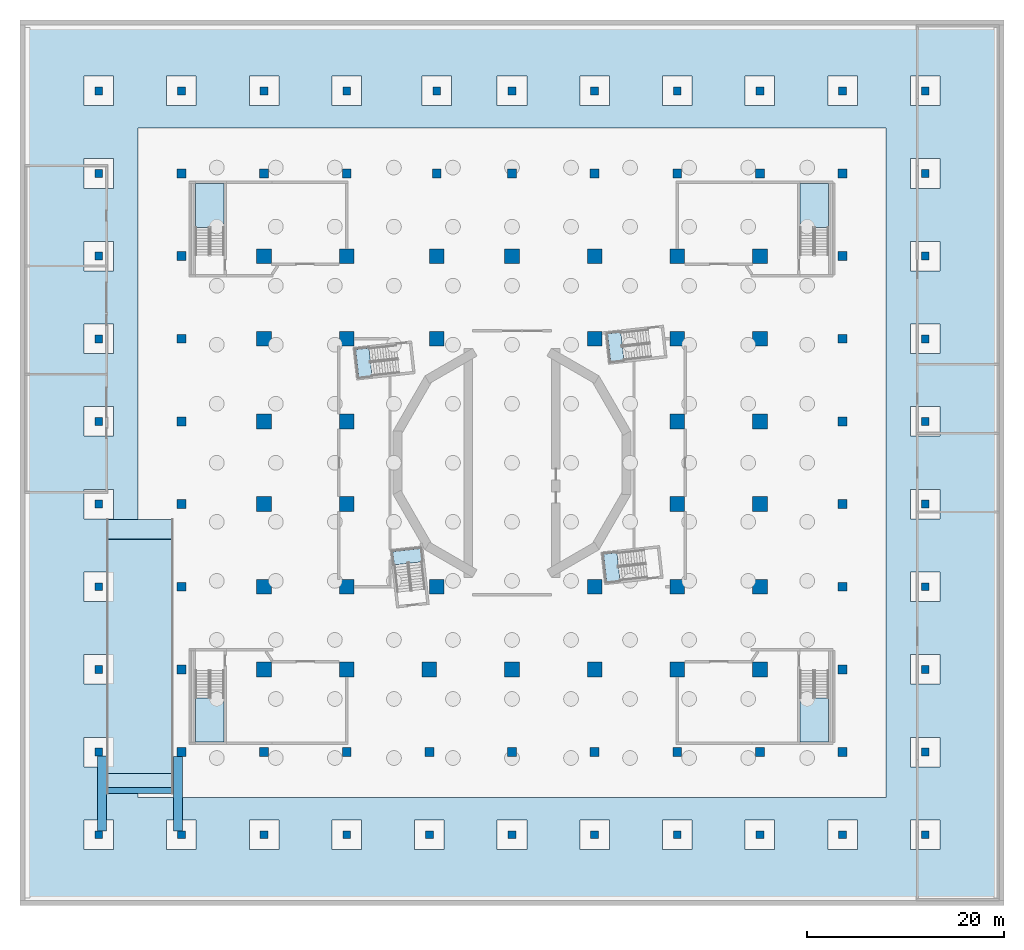
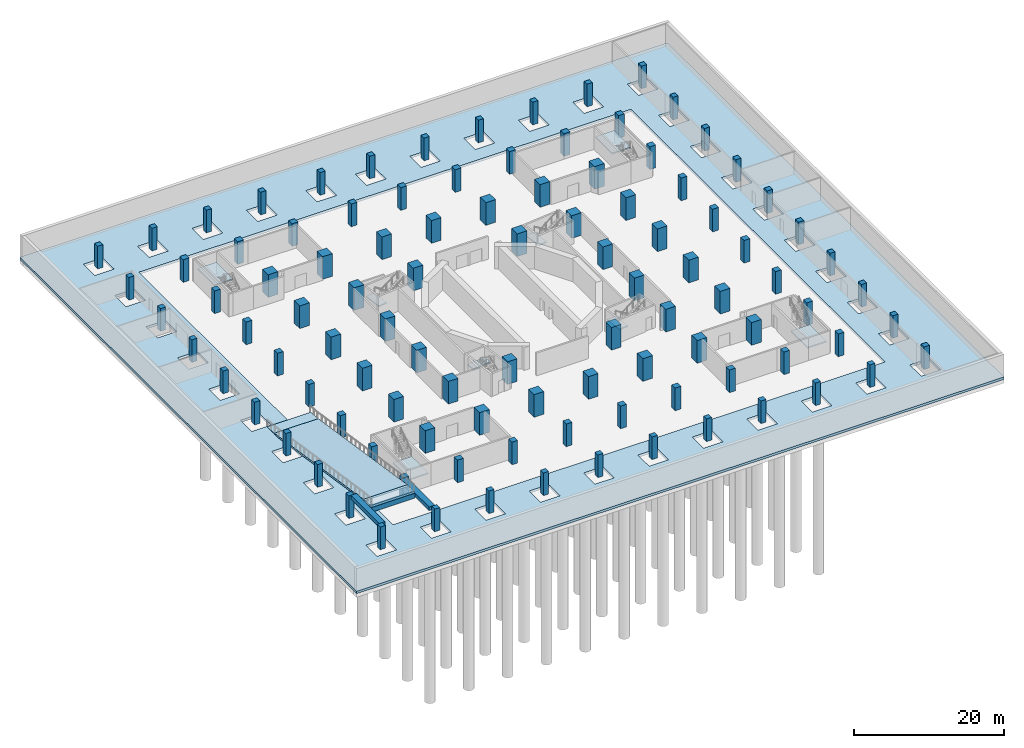
# One storey, part 2 of 20: 102 columns, 12 slabs, 3 beams, 8 elements without a shape of their own.
"""IFC4 building model written with IfcOpenShell, lengths in metres."""

from ifc_helpers import new_model, si_unit, direction, frame, origin, origin_2d, place, context, subcontext, project, spatial, polyline, rectangle, outline, extrude, clip, halfspace, material, layer, layer_set, material_profile, profile_set, type_object, element, aggregate, save


model = new_model("IFC4")

# Units and contexts
model_context = context("Model", 3, precision=1e-05, world=origin(), true_north=direction((0.0, 1.0)))
body_context = subcontext(model_context, "Body", "Model", "MODEL_VIEW")
ifc_project = project(units=[si_unit("LENGTHUNIT", "METRE"), si_unit("AREAUNIT", "SQUARE_METRE"), si_unit("VOLUMEUNIT", "CUBIC_METRE"), si_unit("PLANEANGLEUNIT", "RADIAN"), si_unit("MASSUNIT", "GRAM", prefix="KILO")], contexts=[model_context])

# Site, building, storey
site_placement = place(None, origin())
site = spatial("IfcSite", under=ifc_project, at=site_placement, CompositionType="ELEMENT")
building_placement = place(site_placement, origin())
building = spatial("IfcBuilding", under=site, at=building_placement, Name="Cantera Rosa Tower", CompositionType="ELEMENT")
storey_placement = place(building_placement, frame((0.0, 0.0, -17.0)))
storey = spatial("IfcBuildingStorey", under=building, at=storey_placement, Name="B4", CompositionType="ELEMENT", Elevation=-17.0)

# Columns
ifc_material_1 = material(Name="Concrete C60/75", Category="concrete")
ifc_material_profile_1 = material_profile(ifc_material_1, rectangle(XDim=1.5, YDim=1.5, at=origin_2d()), Name="Column 1500x1500")
ifc_profile_set_1 = profile_set([ifc_material_profile_1], Name="Concrete C60/75")
column_type_1 = type_object("IfcColumnType", Name="Column 1500x1500", PredefinedType="COLUMN", material=ifc_profile_set_1)
for number, where, z_axis, x_axis, name in (
    (1, (-25.199951171875, -21.0, 0.0), (0.0, 0.0, 1.0), (1.0, 0.0, 0.0), "Column C-P-2B"),
    (2, (-25.199951171875, -12.60009765625, 0.0), (0.0, 0.0, 1.0), (1.0, 0.0, 0.0), "Column C-P-2C"),
    (3, (-25.199951171875, -4.199951171875, 0.0), (0.0, 0.0, 1.0), (1.0, 0.0, 0.0), "Column C-P-2D"),
    (4, (-25.199951171875, 4.199951171875, 0.0), (0.0, 0.0, 1.0), (1.0, 0.0, 0.0), "Column C-P-2E"),
    (5, (-25.199951171875, 12.60009765625, 0.0), (0.0, 0.0, 1.0), (1.0, 0.0, 0.0), "Column C-P-2F"),
    (6, (-25.199951171875, 21.0, 0.0), (0.0, 0.0, 1.0), (1.0, 0.0, 0.0), "Column C-P-2G"),
    (7, (-16.800048828125, -21.0, 0.0), (0.0, 0.0, 1.0), (1.0, 0.0, 0.0), "Column C-P-3B"),
    (8, (-16.800048828125, -12.60009765625, 0.0), (0.0, 0.0, 1.0), (1.0, 0.0, 0.0), "Column C-P-3C"),
    (9, (-16.800048828125, -4.199951171875, 0.0), (0.0, 0.0, 1.0), (1.0, 0.0, 0.0), "Column C-P-3D"),
    (10, (-16.800048828125, 4.199951171875, 0.0), (0.0, 0.0, 1.0), (1.0, 0.0, 0.0), "Column C-P-3E"),
    (11, (-16.800048828125, 12.60009765625, 0.0), (0.0, 0.0, 1.0), (1.0, 0.0, 0.0), "Column C-P-3F"),
    (12, (-16.800048828125, 21.0, 0.0), (0.0, 0.0, 1.0), (1.0, 0.0, 0.0), "Column C-P-3G"),
    (13, (-8.39990234375, -21.0, 0.0), (0.0, 0.0, 1.0), (1.0, 0.0, 0.0), "Column C-P-4B"),
    (14, (-7.64990234375, -12.60009765625, 0.0), (0.0, 0.0, 1.0), (1.0, 0.0, 0.0), "Column C-P-4C"),
    (15, (-7.64990234375, 12.60009765625, 0.0), (0.0, 0.0, 1.0), (1.0, 0.0, 0.0), "Column C-B-4N2"),
    (16, (-7.64990234375, 21.0, 0.0), (0.0, 0.0, 1.0), (1.0, 0.0, 0.0), "Column C-B-4N3"),
    (17, (0.0, -21.0, 0.0), (0.0, 0.0, 1.0), (1.0, 0.0, 0.0), "Column C-P-5B"),
    (18, (0.0, 21.0, 0.0), (0.0, 0.0, 1.0), (1.0, 0.0, 0.0), "Column C-P-5G"),
    (19, (8.39990234375, -21.0, 0.0), (0.0, 0.0, 1.0), (1.0, 0.0, 0.0), "Column C-P-6B"),
    (20, (8.39990234375, -12.60009765625, 0.0), (0.0, 0.0, 1.0), (1.0, 0.0, 0.0), "Column C-P-6C"),
    (21, (8.39990234375, 12.60009765625, 0.0), (0.0, 0.0, 1.0), (1.0, 0.0, 0.0), "Column C-P-6F"),
    (22, (8.39990234375, 21.0, 0.0), (0.0, 0.0, 1.0), (1.0, 0.0, 0.0), "Column C-P-6G"),
    (23, (16.800048828125, -21.0, 0.0), (0.0, 0.0, 1.0), (1.0, 0.0, 0.0), "Column C-P-7B"),
    (24, (16.800048828125, -12.60009765625, 0.0), (0.0, 0.0, 1.0), (1.0, 0.0, 0.0), "Column C-P-7C"),
    (25, (16.800048828125, -4.199951171875, 0.0), (0.0, 0.0, 1.0), (1.0, 0.0, 0.0), "Column C-P-7D"),
    (26, (16.800048828125, 4.199951171875, 0.0), (0.0, 0.0, 1.0), (1.0, 0.0, 0.0), "Column C-P-7E"),
    (27, (16.800048828125, 12.60009765625, 0.0), (0.0, 0.0, 1.0), (1.0, 0.0, 0.0), "Column C-P-7F"),
    (28, (16.800048828125, 21.0, 0.0), (0.0, 0.0, 1.0), (1.0, 0.0, 0.0), "Column C-P-7G"),
    (29, (25.199951171875, -21.0, 0.0), (0.0, 0.0, 1.0), (1.0, 0.0, 0.0), "Column C-P-8B"),
    (30, (25.199951171875, -12.60009765625, 0.0), (0.0, 0.0, 1.0), (1.0, 0.0, 0.0), "Column C-P-8C"),
    (31, (25.199951171875, -4.199951171875, 0.0), (0.0, 0.0, 1.0), (1.0, 0.0, 0.0), "Column C-P-8D"),
    (32, (25.199951171875, 4.199951171875, 0.0), (0.0, 0.0, 1.0), (1.0, 0.0, 0.0), "Column C-P-8E"),
    (33, (25.199951171875, 12.60009765625, 0.0), (0.0, 0.0, 1.0), (1.0, 0.0, 0.0), "Column C-P-8F"),
    (34, (25.199951171875, 21.0, 0.0), (0.0, 0.0, 1.0), (1.0, 0.0, 0.0), "Column C-P-8G"),
):
    element("IfcColumn", number, at=place(storey_placement, frame(where, z_axis=z_axis, x_axis=x_axis)), inside=storey, type_object=column_type_1, Name=name, PredefinedType="COLUMN", context=body_context, shape_type="SweptSolid", body=[
        extrude(rectangle(XDim=1.5, YDim=1.5, at=origin_2d()), origin(), (0.0, 0.0, 1.0), 3.699951171875),
    ])
ifc_material_2 = material(Name="Concrete C60/75", Category="concrete")
ifc_material_profile_2 = material_profile(ifc_material_2, rectangle(XDim=0.800048828125, YDim=0.800048828125, at=origin_2d()), Name="Column 800x800")
ifc_profile_set_2 = profile_set([ifc_material_profile_2], Name="Concrete C60/75")
column_type_2 = type_object("IfcColumnType", Name="Column 800x800", PredefinedType="COLUMN", material=ifc_profile_set_2)
for number, where, z_axis, x_axis, name in (
    (35, (-42.0, -37.800048828125, 0.0), (0.0, 0.0, 1.0), (1.0, 0.0, 0.0), "Column C-B-0S5"),
    (36, (-42.0, -29.39990234375, 0.0), (0.0, 0.0, 1.0), (1.0, 0.0, 0.0), "Column C-B-0S4"),
    (37, (-42.0, -21.0, 0.0), (0.0, 0.0, 1.0), (1.0, 0.0, 0.0), "Column C-B-0S3"),
    (38, (-42.0, -12.60009765625, 0.0), (0.0, 0.0, 1.0), (1.0, 0.0, 0.0), "Column C-B-0S2"),
    (39, (-42.0, -4.199951171875, 0.0), (0.0, 0.0, 1.0), (1.0, 0.0, 0.0), "Column C-B-0S1"),
    (40, (-42.0, 4.199951171875, 0.0), (0.0, 0.0, 1.0), (1.0, 0.0, 0.0), "Column C-B-0N1"),
    (41, (-42.0, 12.60009765625, 0.0), (0.0, 0.0, 1.0), (1.0, 0.0, 0.0), "Column C-B-0N2"),
    (42, (-42.0, 21.0, 0.0), (0.0, 0.0, 1.0), (1.0, 0.0, 0.0), "Column C-B-0N3"),
    (43, (-42.0, 29.39990234375, 0.0), (0.0, 0.0, 1.0), (1.0, 0.0, 0.0), "Column C-B-0N4"),
    (44, (-42.0, 37.800048828125, 0.0), (0.0, 0.0, 1.0), (1.0, 0.0, 0.0), "Column C-B-0N5"),
    (45, (-33.60009765625, -37.800048828125, 0.0), (0.0, 0.0, 1.0), (1.0, 0.0, 0.0), "Column C-B-1S5"),
    (46, (-33.60009765625, 37.800048828125, 0.0), (0.0, 0.0, 1.0), (1.0, 0.0, 0.0), "Column C-B-1N5"),
    (47, (-25.199951171875, -37.800048828125, 0.0), (0.0, 0.0, 1.0), (1.0, 0.0, 0.0), "Column C-B-2S5"),
    (48, (-25.199951171875, 37.800048828125, 0.0), (0.0, 0.0, 1.0), (1.0, 0.0, 0.0), "Column C-B-2N5"),
    (49, (-16.800048828125, -37.800048828125, 0.0), (0.0, 0.0, 1.0), (1.0, 0.0, 0.0), "Column C-B-3S5"),
    (50, (-16.800048828125, 37.800048828125, 0.0), (0.0, 0.0, 1.0), (1.0, 0.0, 0.0), "Column C-B-3N5"),
    (51, (-8.39990234375, -37.800048828125, 0.0), (0.0, 0.0, 1.0), (1.0, 0.0, 0.0), "Column C-B-4S5"),
    (52, (-7.64990234375, 37.800048828125, 0.0), (0.0, 0.0, 1.0), (1.0, 0.0, 0.0), "Column C-B-4N5"),
    (53, (0.0, -37.800048828125, 0.0), (0.0, 0.0, 1.0), (1.0, 0.0, 0.0), "Column C-B-5S5"),
    (54, (0.0, 37.800048828125, 0.0), (0.0, 0.0, 1.0), (1.0, 0.0, 0.0), "Column C-B-5N5"),
    (55, (8.39990234375, -37.800048828125, 0.0), (0.0, 0.0, 1.0), (1.0, 0.0, 0.0), "Column C-B-6S5"),
    (56, (8.39990234375, 37.800048828125, 0.0), (0.0, 0.0, 1.0), (1.0, 0.0, 0.0), "Column C-B-6N5"),
    (57, (16.800048828125, -37.800048828125, 0.0), (0.0, 0.0, 1.0), (1.0, 0.0, 0.0), "Column C-B-7S5"),
    (58, (16.800048828125, 37.800048828125, 0.0), (0.0, 0.0, 1.0), (1.0, 0.0, 0.0), "Column C-B-7N5"),
    (59, (25.199951171875, -37.800048828125, 0.0), (0.0, 0.0, 1.0), (1.0, 0.0, 0.0), "Column C-B-8S5"),
    (60, (25.199951171875, 37.800048828125, 0.0), (0.0, 0.0, 1.0), (1.0, 0.0, 0.0), "Column C-B-8N5"),
    (61, (33.60009765625, -37.800048828125, 0.0), (0.0, 0.0, 1.0), (1.0, 0.0, 0.0), "Column C-B-9S5"),
    (62, (33.60009765625, 37.800048828125, 0.0), (0.0, 0.0, 1.0), (1.0, 0.0, 0.0), "Column C-B-9N5"),
    (63, (42.0, -37.800048828125, 0.0), (0.0, 0.0, 1.0), (1.0, 0.0, 0.0), "Column C-B-10S5"),
    (64, (42.0, -29.39990234375, 0.0), (0.0, 0.0, 1.0), (1.0, 0.0, 0.0), "Column C-B-10S4"),
    (65, (42.0, -21.0, 0.0), (0.0, 0.0, 1.0), (1.0, 0.0, 0.0), "Column C-B-10S3"),
    (66, (42.0, -12.60009765625, 0.0), (0.0, 0.0, 1.0), (1.0, 0.0, 0.0), "Column C-B-10S2"),
    (67, (42.0, -4.199951171875, 0.0), (0.0, 0.0, 1.0), (1.0, 0.0, 0.0), "Column C-B-10S1"),
    (68, (42.0, 4.199951171875, 0.0), (0.0, 0.0, 1.0), (1.0, 0.0, 0.0), "Column C-B-10N1"),
    (69, (42.0, 12.60009765625, 0.0), (0.0, 0.0, 1.0), (1.0, 0.0, 0.0), "Column C-B-10N2"),
    (70, (42.0, 21.0, 0.0), (0.0, 0.0, 1.0), (1.0, 0.0, 0.0), "Column C-B-10N3"),
    (71, (42.0, 29.39990234375, 0.0), (0.0, 0.0, 1.0), (1.0, 0.0, 0.0), "Column C-B-10N4"),
    (72, (42.0, 37.800048828125, 0.0), (0.0, 0.0, 1.0), (1.0, 0.0, 0.0), "Column C-B-10N5"),
):
    element("IfcColumn", number, at=place(storey_placement, frame(where, z_axis=z_axis, x_axis=x_axis)), inside=storey, type_object=column_type_2, Name=name, PredefinedType="COLUMN", context=body_context, shape_type="SweptSolid", body=[
        extrude(rectangle(XDim=0.800048828125, YDim=0.800048828125, at=origin_2d()), origin(), (0.0, 0.0, 1.0), 3.699951171875),
    ])
ifc_material_3 = material(Name="Concrete C60/75", Category="concrete")
ifc_material_profile_3 = material_profile(ifc_material_3, rectangle(XDim=0.89990234375, YDim=0.89990234375, at=origin_2d()), Name="Column 900x900")
ifc_profile_set_3 = profile_set([ifc_material_profile_3], Name="Concrete C60/75")
column_type_3 = type_object("IfcColumnType", Name="Column 900x900", PredefinedType="COLUMN", material=ifc_profile_set_3)
for number, where, z_axis, x_axis, name in (
    (73, (-33.60009765625, -29.39990234375, 0.0), (0.0, 0.0, 1.0), (1.0, 0.0, 0.0), "Column C-P-1A"),
    (74, (-33.60009765625, -21.0, 0.0), (0.0, 0.0, 1.0), (1.0, 0.0, 0.0), "Column C-P-1B"),
    (75, (-33.60009765625, -12.60009765625, 0.0), (0.0, 0.0, 1.0), (1.0, 0.0, 0.0), "Column C-P-1C"),
    (76, (-33.60009765625, -4.199951171875, 0.0), (0.0, 0.0, 1.0), (1.0, 0.0, 0.0), "Column C-P-1D"),
    (77, (-33.60009765625, 4.199951171875, 0.0), (0.0, 0.0, 1.0), (1.0, 0.0, 0.0), "Column C-P-1E"),
    (78, (-33.60009765625, 12.60009765625, 0.0), (0.0, 0.0, 1.0), (1.0, 0.0, 0.0), "Column C-P-1F"),
    (79, (-33.60009765625, 21.0, 0.0), (0.0, 0.0, 1.0), (1.0, 0.0, 0.0), "Column C-P-1G"),
    (80, (-33.60009765625, 29.39990234375, 0.0), (0.0, 0.0, 1.0), (1.0, 0.0, 0.0), "Column C-P-1H"),
    (81, (-25.199951171875, -29.39990234375, 0.0), (0.0, 0.0, 1.0), (1.0, 0.0, 0.0), "Column C-P-2A"),
    (82, (-25.199951171875, 29.39990234375, 0.0), (0.0, 0.0, 1.0), (1.0, 0.0, 0.0), "Column C-P-2H"),
    (83, (-16.800048828125, -29.39990234375, 0.0), (0.0, 0.0, 1.0), (1.0, 0.0, 0.0), "Column C-P-3A"),
    (84, (-16.800048828125, 29.39990234375, 0.0), (0.0, 0.0, 1.0), (1.0, 0.0, 0.0), "Column C-P-3H"),
    (85, (-8.39990234375, -29.39990234375, 0.0), (0.0, 0.0, 1.0), (1.0, 0.0, 0.0), "Column C-P-4A"),
    (86, (-7.64990234375, 29.39990234375, 0.0), (0.0, 0.0, 1.0), (1.0, 0.0, 0.0), "Column C-B-4N4"),
    (87, (0.0, -29.39990234375, 0.0), (0.0, 0.0, 1.0), (1.0, 0.0, 0.0), "Column C-P-5A"),
    (88, (0.0, 29.39990234375, 0.0), (0.0, 0.0, 1.0), (1.0, 0.0, 0.0), "Column C-P-5H"),
    (89, (8.39990234375, -29.39990234375, 0.0), (0.0, 0.0, 1.0), (1.0, 0.0, 0.0), "Column C-P-6A"),
    (90, (8.39990234375, 29.39990234375, 0.0), (0.0, 0.0, 1.0), (1.0, 0.0, 0.0), "Column C-P-6H"),
    (91, (16.800048828125, -29.39990234375, 0.0), (0.0, 0.0, 1.0), (1.0, 0.0, 0.0), "Column C-P-7A"),
    (92, (16.800048828125, 29.39990234375, 0.0), (0.0, 0.0, 1.0), (1.0, 0.0, 0.0), "Column C-P-7H"),
    (93, (25.199951171875, -29.39990234375, 0.0), (0.0, 0.0, 1.0), (1.0, 0.0, 0.0), "Column C-P-8A"),
    (94, (25.199951171875, 29.39990234375, 0.0), (0.0, 0.0, 1.0), (1.0, 0.0, 0.0), "Column C-P-8H"),
    (95, (33.60009765625, -29.39990234375, 0.0), (0.0, 0.0, 1.0), (1.0, 0.0, 0.0), "Column C-P-9A"),
    (96, (33.60009765625, -21.0, 0.0), (0.0, 0.0, 1.0), (1.0, 0.0, 0.0), "Column C-P-9B"),
    (97, (33.60009765625, -12.60009765625, 0.0), (0.0, 0.0, 1.0), (1.0, 0.0, 0.0), "Column C-P-9C"),
    (98, (33.60009765625, -4.199951171875, 0.0), (0.0, 0.0, 1.0), (1.0, 0.0, 0.0), "Column C-P-9D"),
    (99, (33.60009765625, 4.199951171875, 0.0), (0.0, 0.0, 1.0), (1.0, 0.0, 0.0), "Column C-P-9E"),
    (100, (33.60009765625, 12.60009765625, 0.0), (0.0, 0.0, 1.0), (1.0, 0.0, 0.0), "Column C-P-9F"),
    (101, (33.60009765625, 21.0, 0.0), (0.0, 0.0, 1.0), (1.0, 0.0, 0.0), "Column C-P-9G"),
    (102, (33.60009765625, 29.39990234375, 0.0), (0.0, 0.0, 1.0), (1.0, 0.0, 0.0), "Column C-P-9H"),
):
    element("IfcColumn", number, at=place(storey_placement, frame(where, z_axis=z_axis, x_axis=x_axis)), inside=storey, type_object=column_type_3, Name=name, PredefinedType="COLUMN", context=body_context, shape_type="SweptSolid", body=[
        extrude(rectangle(XDim=0.89990234375, YDim=0.89990234375, at=origin_2d()), origin(), (0.0, 0.0, 1.0), 3.699951171875),
    ])

# Beams
ifc_material_4 = material(Name="Concrete C35/45", Category="concrete")
ifc_material_profile_4 = material_profile(ifc_material_4, rectangle(XDim=0.60009765625, YDim=0.800048828125, at=origin_2d()), Name="RC cross beam 600x800")
ifc_profile_set_4 = profile_set([ifc_material_profile_4], Name="Concrete C35/45")
beam_type_1 = type_object("IfcBeamType", Name="RC cross beam 600x800", PredefinedType="BEAM", material=ifc_profile_set_4)
beam_1_placement = place(storey_placement, frame((-41.199951171875, -33.300048828125, 3.248779296875), z_axis=(1.0, 0.0, 0.0), x_axis=(0.0, 1.0, 0.0)))
element("IfcBeam", 103, at=beam_1_placement, inside=storey, type_object=beam_type_1, Name="Ramp cross beam RX4", PredefinedType="BEAM", context=body_context, shape_type="SweptSolid", body=[
    extrude(rectangle(XDim=0.60009765625, YDim=0.800048828125, at=origin_2d()), origin(), (0.0, 0.0, 1.0), 6.800048828125),
])
ifc_material_5 = material(Name="Concrete C35/45", Category="concrete")
ifc_material_profile_5 = material_profile(ifc_material_5, rectangle(XDim=0.89990234375, YDim=0.60009765625, at=origin_2d()), Name="RC edge beam 900x600")
ifc_profile_set_5 = profile_set([ifc_material_profile_5], Name="Concrete C35/45")
beam_type_2 = type_object("IfcBeamType", Name="RC edge beam 900x600", PredefinedType="BEAM", material=ifc_profile_set_5)
beam_2_placement = place(storey_placement, frame((-41.64990234375, -37.39990234375, 3.39990234375), z_axis=(0.0, 1.0, 0.0), x_axis=(-1.0, 0.0, 0.0)))
element("IfcBeam", 104, at=beam_2_placement, inside=storey, type_object=beam_type_2, Name="Ramp edge beam RE4-W", PredefinedType="BEAM", context=body_context, shape_type="SweptSolid", body=[
    extrude(rectangle(XDim=0.89990234375, YDim=0.60009765625, at=origin_2d()), origin(), (0.0, 0.0, 1.0), 7.599853515625),
])
beam_3_placement = place(storey_placement, frame((-33.949951171875, -37.39990234375, 3.39990234375), z_axis=(0.0, 1.0, 0.0), x_axis=(-1.0, 0.0, 0.0)))
element("IfcBeam", 105, at=beam_3_placement, inside=storey, type_object=beam_type_2, Name="Ramp edge beam RE4-E", PredefinedType="BEAM", context=body_context, shape_type="SweptSolid", body=[
    extrude(rectangle(XDim=0.89990234375, YDim=0.60009765625, at=origin_2d()), origin(), (0.0, 0.0, 1.0), 7.5498046875),
])

# Slabs
ifc_material_6 = material(Name="Concrete C35/45", Category="concrete")
ifc_layer_1 = layer(ifc_material_6, 0.300048828125)
ifc_layer_set_1 = layer_set([ifc_layer_1], Name="RC ramp slab 300 C35/45")
slab_type_1 = type_object("IfcSlabType", Name="RC ramp slab 300", PredefinedType="FLOOR", material=ifc_layer_set_1)
slab_1_placement = place(storey_placement, frame((-41.199951171875, -5.7666015625, 0.0), z_axis=(0.0, 0.083085749549, 0.996542401618), x_axis=(1.0, 0.0, 0.0)))
element("IfcSlab", 106, at=slab_1_placement, inside=storey, type_object=slab_type_1, Name="Vehicle ramp RP4 slab 1", PredefinedType="FLOOR", context=body_context, shape_type="Clipping", body=[
    clip(extrude(outline(polyline([(0.0, 0.0), (6.800048828125, 0.0), (6.800048828125, -2.0069391896957485), (0.0, -2.0069391896957485), (0.0, 0.0)])), origin(), (0.0, 0.0, -1.0), 0.300048828125), halfspace(frame((0.0, 0.0, 0.0), z_axis=(0.0, -0.083085749549, 0.996542401618), x_axis=(1.0, 0.0, 0.0)), True)),
])
slab_2_placement = place(storey_placement, frame((-41.199951171875, -7.7666015625, 0.166748046875), z_axis=(0.0, 0.152049576252, 0.988372868082), x_axis=(1.0, 0.0, 0.0)))
element("IfcSlab", 107, at=slab_2_placement, inside=storey, type_object=slab_type_1, Name="Vehicle ramp RP4 slab 2", PredefinedType="FLOOR", context=body_context, shape_type="Clipping", body=[
    clip(extrude(outline(polyline([(0.0, 0.0), (6.800048828125, 0.0), (6.800048828125, -24.113871255883883), (0.0, -24.113871255883883), (0.0, 0.0)])), origin(), (0.0, 0.0, -1.0), 0.300048828125), halfspace(frame((0.0, 0.025390625, -0.164794921875), z_axis=(0.0, -0.152049576252, 0.988372868082), x_axis=(1.0, 0.0, 0.0)), True)),
])
slab_3_placement = place(storey_placement, frame((-41.199951171875, -31.60009765625, 3.833251953125), z_axis=(0.0, 0.083085749549, 0.996542401618), x_axis=(1.0, 0.0, 0.0)))
element("IfcSlab", 108, at=slab_3_placement, inside=storey, type_object=slab_type_1, Name="Vehicle ramp RP4 slab 3", PredefinedType="FLOOR", context=body_context, shape_type="Clipping", body=[
    clip(extrude(outline(polyline([(0.0, 0.0), (6.800048828125, 0.0), (6.800048828125, -2.0069391896957485), (0.0, -2.0069391896957485), (0.0, 0.0)])), origin(), (0.0, 0.0, -1.0), 0.300048828125), halfspace(frame((0.0, 0.318603515625, -3.820068359375), z_axis=(0.0, -0.083085749549, 0.996542401618), x_axis=(1.0, 0.0, 0.0)), True)),
])

# Stair, slab
ifc_material_7 = material(Name="Concrete C35/45", Category="concrete")
stair_type_1 = type_object("IfcStairType", Name="EXIT STAIR 1350 DOGLEG", PredefinedType="HALF_TURN_STAIR", material=ifc_material_7)
stair_1_placement = place(storey_placement, origin())
stair_1 = element("IfcStair", 109, at=stair_1_placement, inside=storey, type_object=stair_type_1, Name="B4 ST-11", PredefinedType="HALF_TURN_STAIR")
ifc_material_8 = material(Name="Concrete C35/45", Category="concrete")
ifc_layer_2 = layer(ifc_material_8, 0.199951171875)
ifc_layer_set_2 = layer_set([ifc_layer_2], Name="STAIR LANDING 200")
slab_type_2 = type_object("IfcSlabType", Name="STAIR LANDING 200", PredefinedType="LANDING", material=ifc_layer_set_2)
slab_4_placement = place(storey_placement, frame((0.0, 0.0, 1.800048828125)))
slab_4 = element("IfcSlab", 110, at=slab_4_placement, type_object=slab_type_2, Name="ST-11 landing 1", PredefinedType="LANDING", context=body_context, shape_type="SweptSolid", body=[
    extrude(outline(polyline([(11.063232421875, 13.26318359375), (9.70947265625, 13.113037109375), (10.02392578125, 10.2802734375), (11.377685546875, 10.4306640625), (11.063232421875, 13.26318359375)])), origin(), (0.0, 0.0, 1.0), 0.199951171875),
])
aggregate(stair_1, [slab_4])

stair_2_placement = place(storey_placement, origin())
stair_2 = element("IfcStair", 111, at=stair_2_placement, inside=storey, type_object=stair_type_1, Name="B4 ST-12", PredefinedType="HALF_TURN_STAIR")
slab_5_placement = place(storey_placement, frame((0.0, 0.0, 1.800048828125)))
slab_5 = element("IfcSlab", 112, at=slab_5_placement, type_object=slab_type_2, Name="ST-12 landing 1", PredefinedType="LANDING", context=body_context, shape_type="SweptSolid", body=[
    extrude(outline(polyline([(-14.53662109375, 11.6630859375), (-15.890380859375, 11.512939453125), (-15.575927734375, 8.680419921875), (-14.222412109375, 8.83056640625), (-14.53662109375, 11.6630859375)])), origin(), (0.0, 0.0, 1.0), 0.199951171875),
])
aggregate(stair_2, [slab_5])

stair_3_placement = place(storey_placement, origin())
stair_3 = element("IfcStair", 113, at=stair_3_placement, inside=storey, type_object=stair_type_1, Name="B4 ST-13", PredefinedType="HALF_TURN_STAIR")
slab_6_placement = place(storey_placement, frame((0.0, 0.0, 1.800048828125)))
slab_6 = element("IfcSlab", 114, at=slab_6_placement, type_object=slab_type_2, Name="ST-13 landing 1", PredefinedType="LANDING", context=body_context, shape_type="SweptSolid", body=[
    extrude(outline(polyline([(-9.13671875, -10.063232421875), (-9.287109375, -8.70947265625), (-12.11962890625, -9.02392578125), (-11.969482421875, -10.377685546875), (-9.13671875, -10.063232421875)])), origin(), (0.0, 0.0, 1.0), 0.199951171875),
])
aggregate(stair_3, [slab_6])

stair_4_placement = place(storey_placement, origin())
stair_4 = element("IfcStair", 115, at=stair_4_placement, inside=storey, type_object=stair_type_1, Name="B4 ST-14", PredefinedType="HALF_TURN_STAIR")
slab_7_placement = place(storey_placement, frame((0.0, 0.0, 1.800048828125)))
slab_7 = element("IfcSlab", 116, at=slab_7_placement, type_object=slab_type_2, Name="ST-14 landing 1", PredefinedType="LANDING", context=body_context, shape_type="SweptSolid", body=[
    extrude(outline(polyline([(10.663330078125, -9.13671875), (9.3095703125, -9.287109375), (9.6240234375, -12.11962890625), (10.977783203125, -11.969482421875), (10.663330078125, -9.13671875)])), origin(), (0.0, 0.0, 1.0), 0.199951171875),
])
aggregate(stair_4, [slab_7])

# Slab
ifc_material_9 = material(Name="Concrete C35/45", Category="concrete")
ifc_layer_3 = layer(ifc_material_9, 0.39990234375)
ifc_layer_set_3 = layer_set([ifc_layer_3], Name="Slab on ground 400")
slab_type_3 = type_object("IfcSlabType", Name="Slab on ground 400", PredefinedType="BASESLAB", material=ifc_layer_set_3)
slab_8_placement = place(storey_placement, frame((0.0, 0.0, -0.39990234375)))
element("IfcSlab", 117, at=slab_8_placement, inside=storey, type_object=slab_type_3, Name="Slab on ground B4", PredefinedType="BASESLAB", context=body_context, shape_type="SweptSolid", body=[
    extrude(outline(polyline([(50.0, 45.0), (-50.0, 45.0), (-50.0, -45.0), (50.0, -45.0), (50.0, 45.0)]), holes=[polyline([(-38.0, -34.0), (38.0, -34.0), (38.0, 34.0), (-38.0, 34.0), (-38.0, -34.0)]), polyline([(-43.5, -36.300048828125), (-43.5, -39.300048828125), (-40.5, -39.300048828125), (-40.5, -36.300048828125), (-43.5, -36.300048828125)]), polyline([(-40.5, -27.89990234375), (-43.5, -27.89990234375), (-43.5, -30.89990234375), (-40.5, -30.89990234375), (-40.5, -27.89990234375)]), polyline([(-40.5, -22.5), (-40.5, -19.5), (-43.5, -19.5), (-43.5, -22.5), (-40.5, -22.5)]), polyline([(-43.5, -14.10009765625), (-40.5, -14.10009765625), (-40.5, -11.10009765625), (-43.5, -11.10009765625), (-43.5, -14.10009765625)]), polyline([(-43.5, -2.699951171875), (-43.5, -5.699951171875), (-40.5, -5.699951171875), (-40.5, -2.699951171875), (-43.5, -2.699951171875)]), polyline([(-40.5, 5.699951171875), (-43.5, 5.699951171875), (-43.5, 2.699951171875), (-40.5, 2.699951171875), (-40.5, 5.699951171875)]), polyline([(-40.5, 11.10009765625), (-40.5, 14.10009765625), (-43.5, 14.10009765625), (-43.5, 11.10009765625), (-40.5, 11.10009765625)]), polyline([(-43.5, 19.5), (-40.5, 19.5), (-40.5, 22.5), (-43.5, 22.5), (-43.5, 19.5)]), polyline([(-43.5, 30.89990234375), (-43.5, 27.89990234375), (-40.5, 27.89990234375), (-40.5, 30.89990234375), (-43.5, 30.89990234375)]), polyline([(-40.5, 39.300048828125), (-43.5, 39.300048828125), (-43.5, 36.300048828125), (-40.5, 36.300048828125), (-40.5, 39.300048828125)]), polyline([(-32.10009765625, -39.300048828125), (-32.10009765625, -36.300048828125), (-35.10009765625, -36.300048828125), (-35.10009765625, -39.300048828125), (-32.10009765625, -39.300048828125)]), polyline([(-35.10009765625, 36.300048828125), (-32.10009765625, 36.300048828125), (-32.10009765625, 39.300048828125), (-35.10009765625, 39.300048828125), (-35.10009765625, 36.300048828125)]), polyline([(-26.699951171875, -36.300048828125), (-26.699951171875, -39.300048828125), (-23.699951171875, -39.300048828125), (-23.699951171875, -36.300048828125), (-26.699951171875, -36.300048828125)]), polyline([(-23.699951171875, 39.300048828125), (-26.699951171875, 39.300048828125), (-26.699951171875, 36.300048828125), (-23.699951171875, 36.300048828125), (-23.699951171875, 39.300048828125)]), polyline([(-15.300048828125, -39.300048828125), (-15.300048828125, -36.300048828125), (-18.300048828125, -36.300048828125), (-18.300048828125, -39.300048828125), (-15.300048828125, -39.300048828125)]), polyline([(-18.300048828125, 36.300048828125), (-15.300048828125, 36.300048828125), (-15.300048828125, 39.300048828125), (-18.300048828125, 39.300048828125), (-18.300048828125, 36.300048828125)]), polyline([(-9.89990234375, -36.300048828125), (-9.89990234375, -39.300048828125), (-6.89990234375, -39.300048828125), (-6.89990234375, -36.300048828125), (-9.89990234375, -36.300048828125)]), polyline([(-6.14990234375, 39.300048828125), (-9.14990234375, 39.300048828125), (-9.14990234375, 36.300048828125), (-6.14990234375, 36.300048828125), (-6.14990234375, 39.300048828125)]), polyline([(1.5, -39.300048828125), (1.5, -36.300048828125), (-1.5, -36.300048828125), (-1.5, -39.300048828125), (1.5, -39.300048828125)]), polyline([(-1.5, 36.300048828125), (1.5, 36.300048828125), (1.5, 39.300048828125), (-1.5, 39.300048828125), (-1.5, 36.300048828125)]), polyline([(6.89990234375, -36.300048828125), (6.89990234375, -39.300048828125), (9.89990234375, -39.300048828125), (9.89990234375, -36.300048828125), (6.89990234375, -36.300048828125)]), polyline([(9.89990234375, 39.300048828125), (6.89990234375, 39.300048828125), (6.89990234375, 36.300048828125), (9.89990234375, 36.300048828125), (9.89990234375, 39.300048828125)]), polyline([(18.300048828125, -39.300048828125), (18.300048828125, -36.300048828125), (15.300048828125, -36.300048828125), (15.300048828125, -39.300048828125), (18.300048828125, -39.300048828125)]), polyline([(15.300048828125, 36.300048828125), (18.300048828125, 36.300048828125), (18.300048828125, 39.300048828125), (15.300048828125, 39.300048828125), (15.300048828125, 36.300048828125)]), polyline([(23.699951171875, -36.300048828125), (23.699951171875, -39.300048828125), (26.699951171875, -39.300048828125), (26.699951171875, -36.300048828125), (23.699951171875, -36.300048828125)]), polyline([(26.699951171875, 39.300048828125), (23.699951171875, 39.300048828125), (23.699951171875, 36.300048828125), (26.699951171875, 36.300048828125), (26.699951171875, 39.300048828125)]), polyline([(35.10009765625, -39.300048828125), (35.10009765625, -36.300048828125), (32.10009765625, -36.300048828125), (32.10009765625, -39.300048828125), (35.10009765625, -39.300048828125)]), polyline([(32.10009765625, 36.300048828125), (35.10009765625, 36.300048828125), (35.10009765625, 39.300048828125), (32.10009765625, 39.300048828125), (32.10009765625, 36.300048828125)]), polyline([(40.5, -36.300048828125), (40.5, -39.300048828125), (43.5, -39.300048828125), (43.5, -36.300048828125), (40.5, -36.300048828125)]), polyline([(43.5, -27.89990234375), (40.5, -27.89990234375), (40.5, -30.89990234375), (43.5, -30.89990234375), (43.5, -27.89990234375)]), polyline([(43.5, -22.5), (43.5, -19.5), (40.5, -19.5), (40.5, -22.5), (43.5, -22.5)]), polyline([(40.5, -14.10009765625), (43.5, -14.10009765625), (43.5, -11.10009765625), (40.5, -11.10009765625), (40.5, -14.10009765625)]), polyline([(40.5, -2.699951171875), (40.5, -5.699951171875), (43.5, -5.699951171875), (43.5, -2.699951171875), (40.5, -2.699951171875)]), polyline([(43.5, 5.699951171875), (40.5, 5.699951171875), (40.5, 2.699951171875), (43.5, 2.699951171875), (43.5, 5.699951171875)]), polyline([(43.5, 11.10009765625), (43.5, 14.10009765625), (40.5, 14.10009765625), (40.5, 11.10009765625), (43.5, 11.10009765625)]), polyline([(40.5, 19.5), (43.5, 19.5), (43.5, 22.5), (40.5, 22.5), (40.5, 19.5)]), polyline([(40.5, 30.89990234375), (40.5, 27.89990234375), (43.5, 27.89990234375), (43.5, 30.89990234375), (40.5, 30.89990234375)]), polyline([(43.5, 39.300048828125), (40.5, 39.300048828125), (40.5, 36.300048828125), (43.5, 36.300048828125), (43.5, 39.300048828125)])]), origin(), (0.0, 0.0, 1.0), 0.39990234375),
])

# Stair, slab
ifc_material_10 = material(Name="Concrete C35/45", Category="concrete")
stair_type_2 = type_object("IfcStairType", Name="Stair half-turn 1350", PredefinedType="HALF_TURN_STAIR", material=ifc_material_10)
stair_5_placement = place(storey_placement, origin())
stair_5 = element("IfcStair", 118, at=stair_5_placement, inside=storey, type_object=stair_type_2, Name="B4 ST-NE", PredefinedType="HALF_TURN_STAIR")
ifc_material_11 = material(Name="Concrete C35/45", Category="concrete")
ifc_layer_4 = layer(ifc_material_11, 0.199951171875)
ifc_layer_set_4 = layer_set([ifc_layer_4], Name="Stair landing 200")
slab_type_4 = type_object("IfcSlabType", Name="Stair landing 200", PredefinedType="LANDING", material=ifc_layer_set_4)
slab_9_placement = place(storey_placement, frame((0.0, 0.0, 1.800048828125)))
slab_9 = element("IfcSlab", 119, at=slab_9_placement, type_object=slab_type_4, Name="ST-NE landing 1", PredefinedType="LANDING", context=body_context, shape_type="SweptSolid", body=[
    extrude(outline(polyline([(32.175048828125, 23.9130859375), (32.175048828125, 28.375), (29.27490234375, 28.375), (29.27490234375, 23.9130859375), (32.175048828125, 23.9130859375)])), origin(), (0.0, 0.0, 1.0), 0.199951171875),
])
aggregate(stair_5, [slab_9])

stair_6_placement = place(storey_placement, origin())
stair_6 = element("IfcStair", 120, at=stair_6_placement, inside=storey, type_object=stair_type_2, Name="B4 ST-NW", PredefinedType="HALF_TURN_STAIR")
slab_10_placement = place(storey_placement, frame((0.0, 0.0, 1.800048828125)))
slab_10 = element("IfcSlab", 121, at=slab_10_placement, type_object=slab_type_4, Name="ST-NW landing 1", PredefinedType="LANDING", context=body_context, shape_type="SweptSolid", body=[
    extrude(outline(polyline([(-29.27490234375, 23.9130859375), (-29.27490234375, 28.375), (-32.175048828125, 28.375), (-32.175048828125, 23.9130859375), (-29.27490234375, 23.9130859375)])), origin(), (0.0, 0.0, 1.0), 0.199951171875),
])
aggregate(stair_6, [slab_10])

stair_7_placement = place(storey_placement, origin())
stair_7 = element("IfcStair", 122, at=stair_7_placement, inside=storey, type_object=stair_type_2, Name="B4 ST-SE", PredefinedType="HALF_TURN_STAIR")
slab_11_placement = place(storey_placement, frame((0.0, 0.0, 1.800048828125)))
slab_11 = element("IfcSlab", 123, at=slab_11_placement, type_object=slab_type_4, Name="ST-SE landing 1", PredefinedType="LANDING", context=body_context, shape_type="SweptSolid", body=[
    extrude(outline(polyline([(29.27490234375, -23.9130859375), (29.27490234375, -28.375), (32.175048828125, -28.375), (32.175048828125, -23.9130859375), (29.27490234375, -23.9130859375)])), origin(), (0.0, 0.0, 1.0), 0.199951171875),
])
aggregate(stair_7, [slab_11])

stair_8_placement = place(storey_placement, origin())
stair_8 = element("IfcStair", 124, at=stair_8_placement, inside=storey, type_object=stair_type_2, Name="B4 ST-SW", PredefinedType="HALF_TURN_STAIR")
slab_12_placement = place(storey_placement, frame((0.0, 0.0, 1.800048828125)))
slab_12 = element("IfcSlab", 125, at=slab_12_placement, type_object=slab_type_4, Name="ST-SW landing 1", PredefinedType="LANDING", context=body_context, shape_type="SweptSolid", body=[
    extrude(outline(polyline([(-32.175048828125, -23.9130859375), (-32.175048828125, -28.375), (-29.27490234375, -28.375), (-29.27490234375, -23.9130859375), (-32.175048828125, -23.9130859375)])), origin(), (0.0, 0.0, 1.0), 0.199951171875),
])
aggregate(stair_8, [slab_12])

save(model, "model.ifc")
